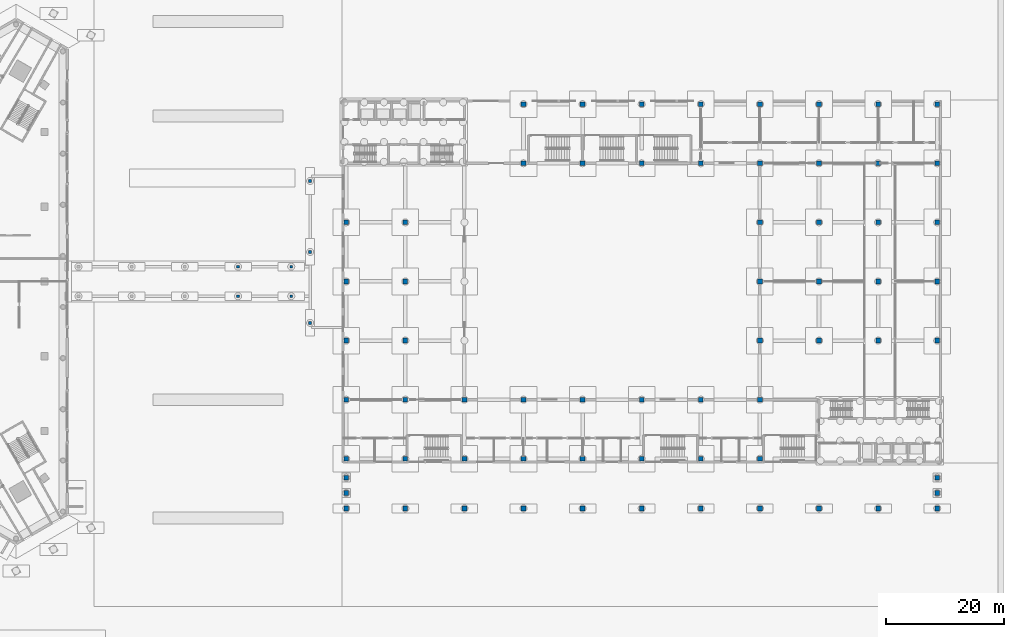
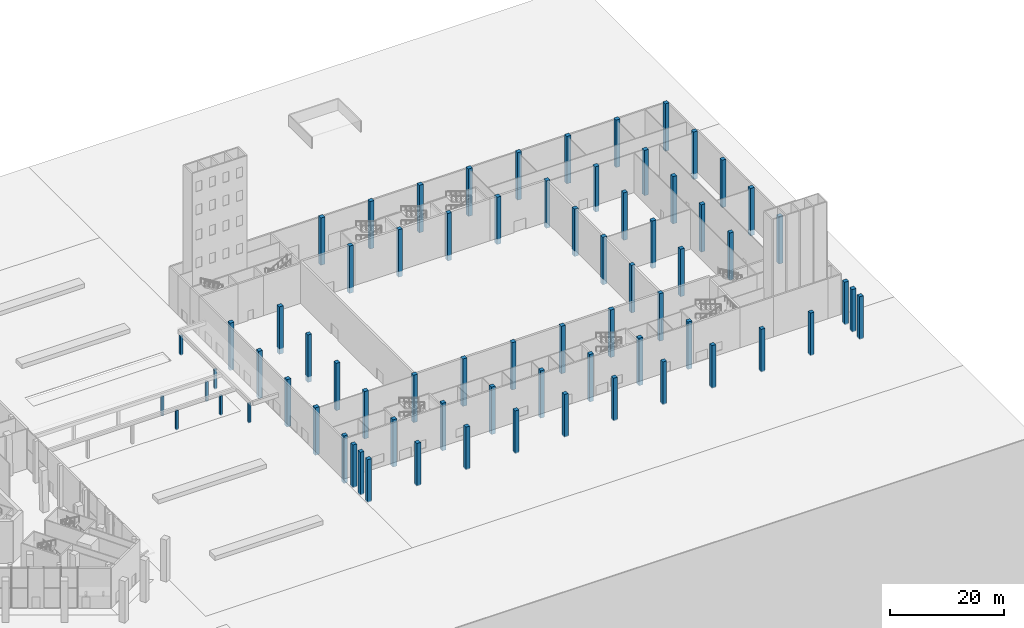
# One storey, part 6 of 63: 72 columns.
"""IFC4 building model written with IfcOpenShell, lengths in metres."""

from ifc_helpers import new_model, si_unit, direction, frame, origin, origin_2d, place, context, subcontext, project, spatial, rectangle, extrude, material, material_profile, profile_set, type_object, element, save


model = new_model("IFC4")

# Units and contexts
model_context = context("Model", 3, precision=1e-05, world=origin(), true_north=direction((0.0, 1.0)))
body_context = subcontext(model_context, "Body", "Model", "MODEL_VIEW")
ifc_project = project(units=[si_unit("LENGTHUNIT", "METRE"), si_unit("AREAUNIT", "SQUARE_METRE"), si_unit("VOLUMEUNIT", "CUBIC_METRE"), si_unit("PLANEANGLEUNIT", "RADIAN"), si_unit("MASSUNIT", "GRAM", prefix="KILO")], contexts=[model_context])

# Site, building, storey
site_placement = place(None, origin())
site = spatial("IfcSite", under=ifc_project, at=site_placement, CompositionType="ELEMENT")
building_placement = place(site_placement, origin())
building = spatial("IfcBuilding", under=site, at=building_placement, Name="Jabali Bay Hotel Tower and Convention Centre", CompositionType="ELEMENT")
storey_placement = place(building_placement, origin())
storey = spatial("IfcBuildingStorey", under=building, at=storey_placement, Name="L00", CompositionType="ELEMENT", Elevation=0.0)

# Columns
ifc_material_1 = material(Name="Concrete C60", Category="concrete")
ifc_material_profile_1 = material_profile(ifc_material_1, rectangle(XDim=0.5, YDim=0.5, at=origin_2d()), Name="RC 500x500")
ifc_profile_set_1 = profile_set([ifc_material_profile_1], Name="Concrete C60")
column_type_1 = type_object("IfcColumnType", Name="CC Canopy Column 500x500", PredefinedType="COLUMN", material=ifc_profile_set_1)
for number, where, z_axis, x_axis, name in (
    (1, (144.60009765625, 73.0, -0.199951171875), (0.0, 0.0, 1.0), (1.0, 0.0, 0.0), "CC canopy column 1"),
    (2, (144.60009765625, 85.0, -0.199951171875), (0.0, 0.0, 1.0), (1.0, 0.0, 0.0), "CC canopy column 2"),
    (3, (144.60009765625, 97.0, -0.199951171875), (0.0, 0.0, 1.0), (1.0, 0.0, 0.0), "CC canopy column 3"),
):
    element("IfcColumn", number, at=place(storey_placement, frame(where, z_axis=z_axis, x_axis=x_axis)), inside=storey, type_object=column_type_1, Name=name, PredefinedType="COLUMN", context=body_context, shape_type="SweptSolid", body=[
        extrude(rectangle(XDim=0.5, YDim=0.5, at=origin_2d()), origin(), (0.0, 0.0, 1.0), 4.099853515625),
    ])
ifc_material_profile_2 = material_profile(ifc_material_1, rectangle(XDim=0.800048828125, YDim=0.800048828125, at=origin_2d()), Name="RC 800x800")
ifc_profile_set_2 = profile_set([ifc_material_profile_2], Name="Concrete C60")
column_type_2 = type_object("IfcColumnType", Name="CC Column 800x800 C60", PredefinedType="COLUMN", material=ifc_profile_set_2)
for number, where, z_axis, x_axis, name in (
    (4, (150.699951171875, 50.0, -1.199951171875), (0.0, 0.0, 1.0), (1.0, 0.0, 0.0), "CC column CC1/A"),
    (5, (150.699951171875, 60.0, -1.199951171875), (0.0, 0.0, 1.0), (1.0, 0.0, 0.0), "CC column CC1/B"),
    (6, (150.699951171875, 70.0, -1.199951171875), (0.0, 0.0, 1.0), (1.0, 0.0, 0.0), "CC column CC1/C"),
    (7, (150.699951171875, 80.0, -1.199951171875), (0.0, 0.0, 1.0), (1.0, 0.0, 0.0), "CC column CC1/D"),
    (8, (150.699951171875, 90.0, -1.199951171875), (0.0, 0.0, 1.0), (1.0, 0.0, 0.0), "CC column CC1/E"),
    (9, (160.699951171875, 50.0, -1.199951171875), (0.0, 0.0, 1.0), (1.0, 0.0, 0.0), "CC column CC2/A"),
    (10, (160.699951171875, 60.0, -1.199951171875), (0.0, 0.0, 1.0), (1.0, 0.0, 0.0), "CC column CC2/B"),
    (11, (160.699951171875, 70.0, -1.199951171875), (0.0, 0.0, 1.0), (1.0, 0.0, 0.0), "CC column CC2/C"),
    (12, (160.699951171875, 80.0, -1.199951171875), (0.0, 0.0, 1.0), (1.0, 0.0, 0.0), "CC column CC2/D"),
    (13, (160.699951171875, 90.0, -1.199951171875), (0.0, 0.0, 1.0), (1.0, 0.0, 0.0), "CC column CC2/E"),
    (14, (170.699951171875, 50.0, -1.199951171875), (0.0, 0.0, 1.0), (1.0, 0.0, 0.0), "CC column CC3/A"),
    (15, (170.699951171875, 60.0, -1.199951171875), (0.0, 0.0, 1.0), (1.0, 0.0, 0.0), "CC column CC3/B"),
    (16, (180.699951171875, 50.0, -1.199951171875), (0.0, 0.0, 1.0), (1.0, 0.0, 0.0), "CC column CC4/A"),
    (17, (180.699951171875, 60.0, -1.199951171875), (0.0, 0.0, 1.0), (1.0, 0.0, 0.0), "CC column CC4/B"),
    (18, (180.699951171875, 100.0, -1.199951171875), (0.0, 0.0, 1.0), (1.0, 0.0, 0.0), "CC column CC4/F"),
    (19, (180.699951171875, 110.0, -1.199951171875), (0.0, 0.0, 1.0), (1.0, 0.0, 0.0), "CC column CC4/G"),
    (20, (190.699951171875, 50.0, -1.199951171875), (0.0, 0.0, 1.0), (1.0, 0.0, 0.0), "CC column CC5/A"),
    (21, (190.699951171875, 60.0, -1.199951171875), (0.0, 0.0, 1.0), (1.0, 0.0, 0.0), "CC column CC5/B"),
    (22, (190.699951171875, 100.0, -1.199951171875), (0.0, 0.0, 1.0), (1.0, 0.0, 0.0), "CC column CC5/F"),
    (23, (190.699951171875, 110.0, -1.199951171875), (0.0, 0.0, 1.0), (1.0, 0.0, 0.0), "CC column CC5/G"),
    (24, (200.699951171875, 50.0, -1.199951171875), (0.0, 0.0, 1.0), (1.0, 0.0, 0.0), "CC column CC6/A"),
    (25, (200.699951171875, 60.0, -1.199951171875), (0.0, 0.0, 1.0), (1.0, 0.0, 0.0), "CC column CC6/B"),
    (26, (200.699951171875, 100.0, -1.199951171875), (0.0, 0.0, 1.0), (1.0, 0.0, 0.0), "CC column CC6/F"),
    (27, (200.699951171875, 110.0, -1.199951171875), (0.0, 0.0, 1.0), (1.0, 0.0, 0.0), "CC column CC6/G"),
    (28, (210.699951171875, 50.0, -1.199951171875), (0.0, 0.0, 1.0), (1.0, 0.0, 0.0), "CC column CC7/A"),
    (29, (210.699951171875, 60.0, -1.199951171875), (0.0, 0.0, 1.0), (1.0, 0.0, 0.0), "CC column CC7/B"),
    (30, (210.699951171875, 100.0, -1.199951171875), (0.0, 0.0, 1.0), (1.0, 0.0, 0.0), "CC column CC7/F"),
    (31, (210.699951171875, 110.0, -1.199951171875), (0.0, 0.0, 1.0), (1.0, 0.0, 0.0), "CC column CC7/G"),
    (32, (220.699951171875, 50.0, -1.199951171875), (0.0, 0.0, 1.0), (1.0, 0.0, 0.0), "CC column CC8/A"),
    (33, (220.699951171875, 60.0, -1.199951171875), (0.0, 0.0, 1.0), (1.0, 0.0, 0.0), "CC column CC8/B"),
    (34, (220.699951171875, 70.0, -1.199951171875), (0.0, 0.0, 1.0), (1.0, 0.0, 0.0), "CC column CC8/C"),
    (35, (220.699951171875, 80.0, -1.199951171875), (0.0, 0.0, 1.0), (1.0, 0.0, 0.0), "CC column CC8/D"),
    (36, (220.699951171875, 90.0, -1.199951171875), (0.0, 0.0, 1.0), (1.0, 0.0, 0.0), "CC column CC8/E"),
    (37, (220.699951171875, 100.0, -1.199951171875), (0.0, 0.0, 1.0), (1.0, 0.0, 0.0), "CC column CC8/F"),
    (38, (220.699951171875, 110.0, -1.199951171875), (0.0, 0.0, 1.0), (1.0, 0.0, 0.0), "CC column CC8/G"),
    (39, (230.699951171875, 70.0, -1.199951171875), (0.0, 0.0, 1.0), (1.0, 0.0, 0.0), "CC column CC9/C"),
    (40, (230.699951171875, 80.0, -1.199951171875), (0.0, 0.0, 1.0), (1.0, 0.0, 0.0), "CC column CC9/D"),
    (41, (230.699951171875, 90.0, -1.199951171875), (0.0, 0.0, 1.0), (1.0, 0.0, 0.0), "CC column CC9/E"),
):
    element("IfcColumn", number, at=place(storey_placement, frame(where, z_axis=z_axis, x_axis=x_axis)), inside=storey, type_object=column_type_2, Name=name, PredefinedType="COLUMN", context=body_context, shape_type="SweptSolid", body=[
        extrude(rectangle(XDim=0.800048828125, YDim=0.800048828125, at=origin_2d()), origin(), (0.0, 0.0, 1.0), 10.199951171875),
    ])
column_1_placement = place(storey_placement, frame((230.699951171875, 100.0, -1.199951171875), z_axis=(0.0, 0.0, 1.0), x_axis=(1.0, 0.0, 0.0)))
element("IfcColumn", 42, at=column_1_placement, inside=storey, type_object=column_type_2, Name="CC column CC9/F", PredefinedType="COLUMN", context=body_context, shape_type="SweptSolid", body=[
    extrude(rectangle(XDim=0.800048828125, YDim=0.800048828125, at=origin_2d()), origin(), (0.0, 0.0, 1.0), 9.744873046875),
])
for number, where, z_axis, x_axis, name in (
    (43, (230.699951171875, 110.0, -1.199951171875), (0.0, 0.0, 1.0), (1.0, 0.0, 0.0), "CC column CC9/G"),
    (44, (240.699951171875, 70.0, -1.199951171875), (0.0, 0.0, 1.0), (1.0, 0.0, 0.0), "CC column CC10/C"),
    (45, (240.699951171875, 80.0, -1.199951171875), (0.0, 0.0, 1.0), (1.0, 0.0, 0.0), "CC column CC10/D"),
    (46, (240.699951171875, 90.0, -1.199951171875), (0.0, 0.0, 1.0), (1.0, 0.0, 0.0), "CC column CC10/E"),
):
    element("IfcColumn", number, at=place(storey_placement, frame(where, z_axis=z_axis, x_axis=x_axis)), inside=storey, type_object=column_type_2, Name=name, PredefinedType="COLUMN", context=body_context, shape_type="SweptSolid", body=[
        extrude(rectangle(XDim=0.800048828125, YDim=0.800048828125, at=origin_2d()), origin(), (0.0, 0.0, 1.0), 10.199951171875),
    ])
column_2_placement = place(storey_placement, frame((240.699951171875, 100.0, -1.199951171875), z_axis=(0.0, 0.0, 1.0), x_axis=(1.0, 0.0, 0.0)))
element("IfcColumn", 47, at=column_2_placement, inside=storey, type_object=column_type_2, Name="CC column CC10/F", PredefinedType="COLUMN", context=body_context, shape_type="SweptSolid", body=[
    extrude(rectangle(XDim=0.800048828125, YDim=0.800048828125, at=origin_2d()), origin(), (0.0, 0.0, 1.0), 9.744873046875),
])
for number, where, z_axis, x_axis, name in (
    (48, (240.699951171875, 110.0, -1.199951171875), (0.0, 0.0, 1.0), (1.0, 0.0, 0.0), "CC column CC10/G"),
    (49, (250.699951171875, 70.0, -1.199951171875), (0.0, 0.0, 1.0), (1.0, 0.0, 0.0), "CC column CC11/C"),
    (50, (250.699951171875, 80.0, -1.199951171875), (0.0, 0.0, 1.0), (1.0, 0.0, 0.0), "CC column CC11/D"),
    (51, (250.699951171875, 90.0, -1.199951171875), (0.0, 0.0, 1.0), (1.0, 0.0, 0.0), "CC column CC11/E"),
    (52, (250.699951171875, 100.0, -1.199951171875), (0.0, 0.0, 1.0), (1.0, 0.0, 0.0), "CC column CC11/F"),
    (53, (250.699951171875, 110.0, -1.199951171875), (0.0, 0.0, 1.0), (1.0, 0.0, 0.0), "CC column CC11/G"),
):
    element("IfcColumn", number, at=place(storey_placement, frame(where, z_axis=z_axis, x_axis=x_axis)), inside=storey, type_object=column_type_2, Name=name, PredefinedType="COLUMN", context=body_context, shape_type="SweptSolid", body=[
        extrude(rectangle(XDim=0.800048828125, YDim=0.800048828125, at=origin_2d()), origin(), (0.0, 0.0, 1.0), 10.199951171875),
    ])
ifc_material_profile_3 = material_profile(ifc_material_1, rectangle(XDim=0.800048828125, YDim=0.800048828125, at=origin_2d()), Name="RC 800x800")
ifc_profile_set_3 = profile_set([ifc_material_profile_3], Name="Concrete C60")
column_type_3 = type_object("IfcColumnType", Name="CC South Pier 800x800", PredefinedType="COLUMN", material=ifc_profile_set_3)
for number, where, z_axis, x_axis, name in (
    (54, (150.699951171875, 44.199951171875, -0.199951171875), (0.0, 0.0, 1.0), (1.0, 0.0, 0.0), "CC south roof return pier W1"),
    (55, (150.699951171875, 46.800048828125, -0.199951171875), (0.0, 0.0, 1.0), (1.0, 0.0, 0.0), "CC south roof return pier W2"),
    (56, (250.699951171875, 44.199951171875, -0.199951171875), (0.0, 0.0, 1.0), (1.0, 0.0, 0.0), "CC south roof return pier E1"),
    (57, (250.699951171875, 46.800048828125, -0.199951171875), (0.0, 0.0, 1.0), (1.0, 0.0, 0.0), "CC south roof return pier E2"),
    (58, (150.699951171875, 41.60009765625, -0.199951171875), (0.0, 0.0, 1.0), (1.0, 0.0, 0.0), "CC south roof pier 1"),
    (59, (160.699951171875, 41.60009765625, -0.199951171875), (0.0, 0.0, 1.0), (1.0, 0.0, 0.0), "CC south roof pier 2"),
    (60, (170.699951171875, 41.60009765625, -0.199951171875), (0.0, 0.0, 1.0), (1.0, 0.0, 0.0), "CC south roof pier 3"),
    (61, (180.699951171875, 41.60009765625, -0.199951171875), (0.0, 0.0, 1.0), (1.0, 0.0, 0.0), "CC south roof pier 4"),
    (62, (190.699951171875, 41.60009765625, -0.199951171875), (0.0, 0.0, 1.0), (1.0, 0.0, 0.0), "CC south roof pier 5"),
    (63, (200.699951171875, 41.60009765625, -0.199951171875), (0.0, 0.0, 1.0), (1.0, 0.0, 0.0), "CC south roof pier 6"),
    (64, (210.699951171875, 41.60009765625, -0.199951171875), (0.0, 0.0, 1.0), (1.0, 0.0, 0.0), "CC south roof pier 7"),
    (65, (220.699951171875, 41.60009765625, -0.199951171875), (0.0, 0.0, 1.0), (1.0, 0.0, 0.0), "CC south roof pier 8"),
    (66, (230.699951171875, 41.60009765625, -0.199951171875), (0.0, 0.0, 1.0), (1.0, 0.0, 0.0), "CC south roof pier 9"),
    (67, (240.699951171875, 41.60009765625, -0.199951171875), (0.0, 0.0, 1.0), (1.0, 0.0, 0.0), "CC south roof pier 10"),
    (68, (250.699951171875, 41.60009765625, -0.199951171875), (0.0, 0.0, 1.0), (1.0, 0.0, 0.0), "CC south roof pier 11"),
):
    element("IfcColumn", number, at=place(storey_placement, frame(where, z_axis=z_axis, x_axis=x_axis)), inside=storey, type_object=column_type_3, Name=name, PredefinedType="COLUMN", context=body_context, shape_type="SweptSolid", body=[
        extrude(rectangle(XDim=0.800048828125, YDim=0.800048828125, at=origin_2d()), origin(), (0.0, 0.0, 1.0), 9.199951171875),
    ])
ifc_material_2 = material(Name="Concrete C50", Category="concrete")
ifc_material_profile_4 = material_profile(ifc_material_2, rectangle(XDim=0.449951171875, YDim=0.449951171875, at=origin_2d()), Name="RC 450x450")
ifc_profile_set_4 = profile_set([ifc_material_profile_4], Name="Concrete C50")
column_type_4 = type_object("IfcColumnType", Name="SI Colonnade Column 450x450", PredefinedType="COLUMN", material=ifc_profile_set_4)
for number, where, z_axis, x_axis, name in (
    (69, (132.39990234375, 77.5, -0.199951171875), (0.0, 0.0, 1.0), (1.0, 0.0, 0.0), "SI colonnade column 4.1"),
    (70, (132.39990234375, 82.5, -0.199951171875), (0.0, 0.0, 1.0), (1.0, 0.0, 0.0), "SI colonnade column 4.2"),
    (71, (141.39990234375, 77.5, -0.199951171875), (0.0, 0.0, 1.0), (1.0, 0.0, 0.0), "SI colonnade column 5.1"),
    (72, (141.39990234375, 82.5, -0.199951171875), (0.0, 0.0, 1.0), (1.0, 0.0, 0.0), "SI colonnade column 5.2"),
):
    element("IfcColumn", number, at=place(storey_placement, frame(where, z_axis=z_axis, x_axis=x_axis)), inside=storey, type_object=column_type_4, Name=name, PredefinedType="COLUMN", context=body_context, shape_type="SweptSolid", body=[
        extrude(rectangle(XDim=0.449951171875, YDim=0.449951171875, at=origin_2d()), origin(), (0.0, 0.0, 1.0), 4.199951171875),
    ])

save(model, "model.ifc")
